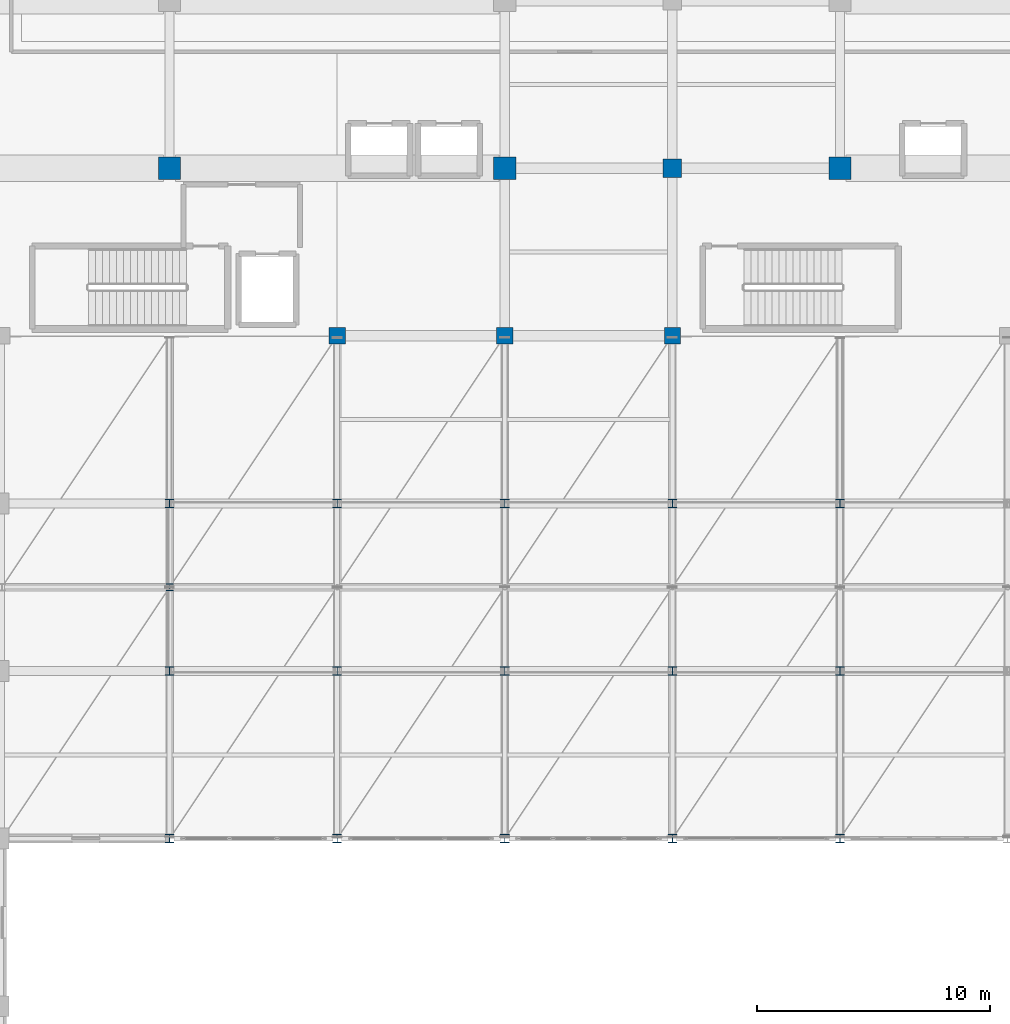
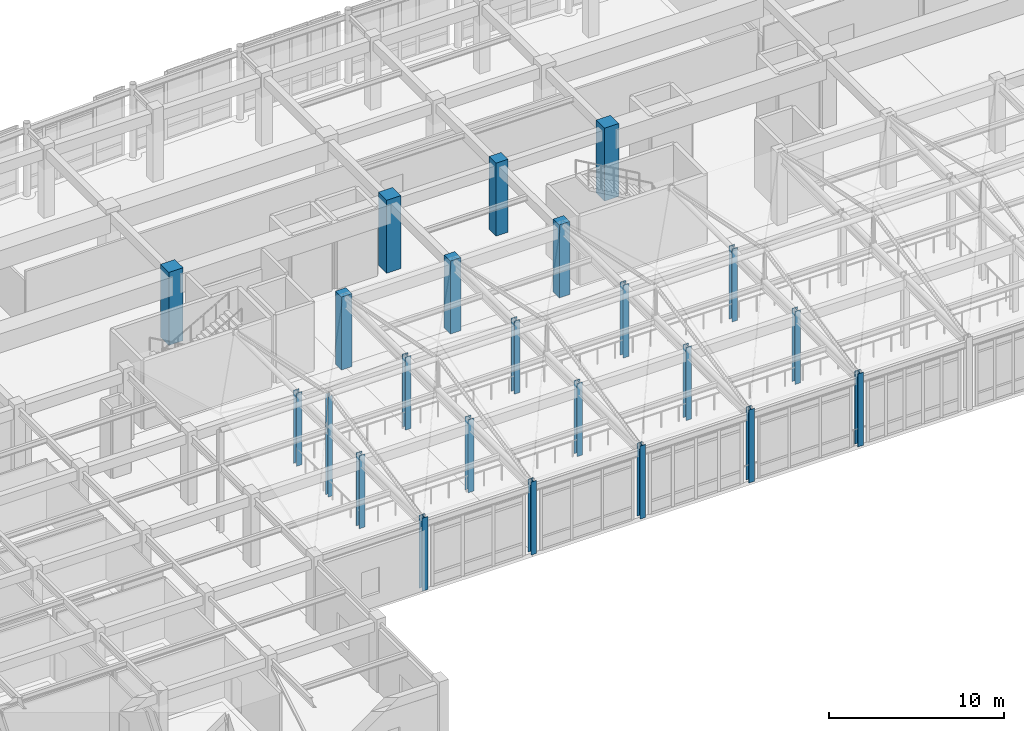
# One storey, part 7 of 117: 23 columns.
"""IFC4 building model written with IfcOpenShell, lengths in metres."""

import ifcopenshell
import ifcopenshell.guid

model = None  # the IFC model being written
_history = None  # IfcOwnerHistory: only IFC2X3 demands one
_inside = {}  # id of a spatial element -> (the spatial element, [elements in it])
_under = {}  # id of a project, library or spatial element -> (it, [spatial elements below it])
_declared = {}  # id of a project -> (the project, [libraries it declares])
_typed = {}  # id of a type object -> (the type object, [elements of that type])
_made_of = {}  # id of a material, layer set ... -> (it, [elements and type objects made of it])


def new_model(schema):
    """Start an empty IFC model of exactly this schema.

    Asked for "IFC4X3", IfcOpenShell would pick the latest addendum, in which some entities
    have other attributes; the version numbers below select the first issue.
    IFC2X3 requires an IfcOwnerHistory on every rooted entity: one is made here for all.
    """
    global model, _history
    if schema == "IFC4X3":
        model = ifcopenshell.file(schema_version=(4, 3, 0, 0))
    else:
        model = ifcopenshell.file(schema=schema)
    _inside.clear()
    _under.clear()
    _declared.clear()
    _typed.clear()
    _made_of.clear()
    _history = None
    if model.schema == "IFC2X3":
        org = make("IfcOrganization", Name="unknown")
        user = make(
            "IfcPersonAndOrganization",
            ThePerson=make("IfcPerson", FamilyName="unknown"),
            TheOrganization=org,
        )
        app = make(
            "IfcApplication",
            ApplicationDeveloper=org,
            Version="unknown",
            ApplicationFullName="unknown",
            ApplicationIdentifier="unknown",
        )
        _history = make(
            "IfcOwnerHistory",
            OwningUser=user,
            OwningApplication=app,
            ChangeAction="ADDED",
            CreationDate=0,
        )
    return model


def make(cls, **values):
    """One entity of the class cls with the attributes given. An attribute that is None is left unset."""
    return model.create_entity(
        cls, **{name: value for name, value in values.items() if value is not None}
    )


def rooted(cls, **values):
    """An entity with a GlobalId (a new one), such as an element, a storey or a relation."""
    return make(cls, GlobalId=ifcopenshell.guid.new(), OwnerHistory=_history, **values)


def si_unit(unit_type, name, prefix=None):
    """IfcSIUnit, for example si_unit("LENGTHUNIT", "METRE", prefix="MILLI")."""
    return make("IfcSIUnit", UnitType=unit_type, Prefix=prefix, Name=name)


def assignment(units):
    """IfcUnitAssignment: the units of a project."""
    return None if units is None else make("IfcUnitAssignment", Units=units)


def point(xyz):
    """IfcCartesianPoint."""
    return None if xyz is None else make("IfcCartesianPoint", Coordinates=xyz)


def direction(xyz):
    """IfcDirection."""
    return None if xyz is None else make("IfcDirection", DirectionRatios=xyz)


def frame(location, z_axis=None, x_axis=None):
    """IfcAxis2Placement3D, a coordinate frame: its origin and axes. An axis left out is left unset."""
    return make(
        "IfcAxis2Placement3D",
        Location=point(location),
        Axis=direction(z_axis),
        RefDirection=direction(x_axis),
    )


def frame_2d(location, x_axis=None):
    """IfcAxis2Placement2D, a coordinate frame in the plane: its origin and x axis."""
    return make(
        "IfcAxis2Placement2D", Location=point(location), RefDirection=direction(x_axis)
    )


def origin():
    """The frame at (0, 0, 0) with its axes left unset."""
    return frame((0.0, 0.0, 0.0))


def origin_2d():
    """The frame at (0, 0) in the plane with its x axis left unset."""
    return frame_2d((0.0, 0.0))


def place(relative_to, where):
    """IfcLocalPlacement: puts the frame where relative to a parent placement (None: the world)."""
    return make(
        "IfcLocalPlacement", PlacementRelTo=relative_to, RelativePlacement=where
    )


def context(
    kind, dimensions, precision=None, world=None, true_north=None, identifier=None
):
    """IfcGeometricRepresentationContext, for example the 3D "Model" context."""
    return make(
        "IfcGeometricRepresentationContext",
        ContextIdentifier=identifier,
        ContextType=kind,
        CoordinateSpaceDimension=dimensions,
        Precision=precision,
        WorldCoordinateSystem=world,
        TrueNorth=true_north,
    )


def subcontext(parent, identifier, kind, view, scale=None):
    """IfcGeometricRepresentationSubContext, for example "Body" below "Model"."""
    return make(
        "IfcGeometricRepresentationSubContext",
        ContextIdentifier=identifier,
        ContextType=kind,
        ParentContext=parent,
        TargetScale=scale,
        TargetView=view,
    )


def project(units=None, contexts=None):
    """IfcProject with its units and contexts."""
    return rooted(
        "IfcProject",
        Name="project",
        RepresentationContexts=contexts,
        UnitsInContext=assignment(units),
    )


def spatial(cls, under=None, at=None, **own):
    """A site, building, storey or space (cls), placed at a placement, below another one or the project."""
    s = rooted(cls, ObjectPlacement=at, **own)
    if under is not None:
        _under.setdefault(under.id(), (under, []))[1].append(s)
    return s


def profile(cls, at=None, kind="AREA", **sizes):
    """A parametric profile (cls). Its sizes go by their IFC names, for example OverallWidth=200.0."""
    return make(cls, ProfileType=kind, Position=at, **sizes)


def rectangle(**sizes):
    """IfcRectangleProfileDef."""
    return profile("IfcRectangleProfileDef", **sizes)


def i_section(**sizes):
    """IfcIShapeProfileDef."""
    return profile("IfcIShapeProfileDef", **sizes)


def extrude(swept, where, along, depth):
    """IfcExtrudedAreaSolid: the profile swept, set in the frame where, extruded along a direction by depth."""
    return make(
        "IfcExtrudedAreaSolid",
        SweptArea=swept,
        Position=where,
        ExtrudedDirection=direction(along),
        Depth=depth,
    )


def shape(context_of_items, identifier, shape_type, items):
    """IfcShapeRepresentation: the items that make up one representation, for example the "Body"."""
    return make(
        "IfcShapeRepresentation",
        ContextOfItems=context_of_items,
        RepresentationIdentifier=identifier,
        RepresentationType=shape_type,
        Items=items,
    )


def material(Name=None, Category=None):
    """IfcMaterial."""
    return make("IfcMaterial", Name=Name, Category=Category)


def material_profile(
    of_material, cross_section, Name=None, Category=None, Priority=None
):
    """IfcMaterialProfile: a cross section and its material."""
    return make(
        "IfcMaterialProfile",
        Name=Name,
        Material=of_material,
        Profile=cross_section,
        Priority=Priority,
        Category=Category,
    )


def profile_set(profiles, Name=None, composite=None):
    """IfcMaterialProfileSet."""
    return make(
        "IfcMaterialProfileSet",
        Name=Name,
        MaterialProfiles=profiles,
        CompositeProfile=composite,
    )


def made_of(thing, what):
    """Note that an element or type object is made of a material, layer set ...; save() writes the relation."""
    if what is not None:
        _made_of.setdefault(what.id(), (what, []))[1].append(thing)
    return thing


def type_object(cls, material=None, **own):
    """A type object (cls), such as IfcWallType, which elements share."""
    return made_of(rooted(cls, **own), material)


def element(
    cls,
    number,
    at=None,
    inside=None,
    cuts=None,
    type_object=None,
    material=None,
    context=None,
    identifier="Body",
    shape_type=None,
    held_by="IfcProductDefinitionShape",
    body=None,
    shapes=None,
    **own,
):
    """One element of the class cls, such as IfcWall. Its Tag is "e" and its number.

    at: its placement. inside: the storey or other place that contains it. cuts: it is an
    opening in that element (IfcRelVoidsElement). A single representation is given by context,
    identifier, shape_type and body (its items); several are given by shapes. held_by: the class
    of the entity that holds the representations. save() writes the other relations.
    """
    e = rooted(cls, Tag="e%d" % number, ObjectPlacement=at, **own)
    if body is not None:
        shapes = [shape(context, identifier, shape_type, body)]
    if shapes is not None:
        e.Representation = make(held_by, Representations=shapes)
    if inside is not None:
        _inside.setdefault(inside.id(), (inside, []))[1].append(e)
    if cuts is not None:
        rooted(
            "IfcRelVoidsElement", RelatingBuildingElement=cuts, RelatedOpeningElement=e
        )
    if type_object is not None:
        _typed.setdefault(type_object.id(), (type_object, []))[1].append(e)
    return made_of(e, material)


def aggregate(whole, parts):
    """IfcRelAggregates: a whole, such as a stair, and the parts it consists of."""
    return rooted("IfcRelAggregates", RelatingObject=whole, RelatedObjects=parts)


def save(model, path):
    """Write the relations noted so far, then the file.

    IfcRelAggregates (storeys below a building ...), IfcRelContainedInSpatialStructure (elements
    in a storey), IfcRelDefinesByType, IfcRelAssociatesMaterial and IfcRelDeclares: one each for
    every whole, place, type object, material and project.
    """
    for whole, parts in _under.values():
        aggregate(whole, parts)
    for where, things in _inside.values():
        rooted(
            "IfcRelContainedInSpatialStructure",
            RelatedElements=things,
            RelatingStructure=where,
        )
    for kind, things in _typed.values():
        rooted("IfcRelDefinesByType", RelatedObjects=things, RelatingType=kind)
    for what, things in _made_of.values():
        rooted("IfcRelAssociatesMaterial", RelatedObjects=things, RelatingMaterial=what)
    for by, libraries in _declared.values():
        rooted("IfcRelDeclares", RelatingContext=by, RelatedDefinitions=libraries)
    model.write(path)


model = new_model("IFC4")

# Units and contexts
model_context = context("Model", 3, precision=1e-05, world=origin(), true_north=direction((0.0, 1.0)))
body_context = subcontext(model_context, "Body", "Model", "MODEL_VIEW")
ifc_project = project(units=[si_unit("LENGTHUNIT", "METRE"), si_unit("AREAUNIT", "SQUARE_METRE"), si_unit("VOLUMEUNIT", "CUBIC_METRE"), si_unit("PLANEANGLEUNIT", "RADIAN"), si_unit("MASSUNIT", "GRAM", prefix="KILO")], contexts=[model_context])

# Site, building, storey
site_placement = place(None, origin())
site = spatial("IfcSite", under=ifc_project, at=site_placement, CompositionType="ELEMENT")
building_placement = place(site_placement, origin())
building = spatial("IfcBuilding", under=site, at=building_placement, Name="Carrowvane Square Congress Hotel", CompositionType="ELEMENT")
storey_placement = place(building_placement, frame((0.0, 0.0, 5.39990234375)))
storey = spatial("IfcBuildingStorey", under=building, at=storey_placement, Name="L01", CompositionType="ELEMENT", Elevation=5.39990234375)

# Columns
ifc_material_1 = material(Name="Concrete C40/50", Category="concrete")
ifc_material_profile_1 = material_profile(ifc_material_1, rectangle(XDim=0.699951171875, YDim=0.699951171875, at=origin_2d()), Name="RC 700x700")
ifc_profile_set_1 = profile_set([ifc_material_profile_1], Name="Concrete C40/50")
column_type_1 = type_object("IfcColumnType", Name="COL-RC-700", PredefinedType="COLUMN", material=ifc_profile_set_1)
for number, where, z_axis, x_axis, name in (
    (1, (83.60009765625, 91.800048828125, 0.0), (0.0, 0.0, 1.0), (1.0, 0.0, 0.0), "L01 column 11/N"),
    (2, (90.800048828125, 91.800048828125, 0.0), (0.0, 0.0, 1.0), (1.0, 0.0, 0.0), "L01 column 12/N"),
    (3, (98.0, 91.800048828125, 0.0), (0.0, 0.0, 1.0), (1.0, 0.0, 0.0), "L01 column 13/N"),
):
    element("IfcColumn", number, at=place(storey_placement, frame(where, z_axis=z_axis, x_axis=x_axis)), inside=storey, type_object=column_type_1, Name=name, PredefinedType="COLUMN", context=body_context, shape_type="SweptSolid", body=[
        extrude(rectangle(XDim=0.699951171875, YDim=0.699951171875, at=origin_2d()), origin(), (0.0, 0.0, 1.0), 5.10009765625),
    ])
ifc_material_2 = material(Name="Concrete C40/50", Category="concrete")
ifc_material_profile_2 = material_profile(ifc_material_2, rectangle(XDim=0.800048828125, YDim=0.800048828125, at=origin_2d()), Name="RC 800x800")
ifc_profile_set_2 = profile_set([ifc_material_profile_2], Name="Concrete C40/50")
column_type_2 = type_object("IfcColumnType", Name="COL-RC-800", PredefinedType="COLUMN", material=ifc_profile_set_2)
column_1_placement = place(storey_placement, frame((98.0, 99.0, 0.0), z_axis=(0.0, 0.0, 1.0), x_axis=(1.0, 0.0, 0.0)))
element("IfcColumn", 4, at=column_1_placement, inside=storey, type_object=column_type_2, Name="L01 column 13/P", PredefinedType="COLUMN", context=body_context, shape_type="SweptSolid", body=[
    extrude(rectangle(XDim=0.800048828125, YDim=0.800048828125, at=origin_2d()), origin(), (0.0, 0.0, 1.0), 5.10009765625),
])
ifc_material_3 = material(Name="Steel S355", Category="steel")
ifc_material_profile_3 = material_profile(ifc_material_3, i_section(OverallWidth=0.300048828125, OverallDepth=0.300048828125, WebThickness=0.010986328125, FlangeThickness=0.01904296875, FilletRadius=0.027099609375, at=origin_2d()), Name="HEB 300")
ifc_profile_set_3 = profile_set([ifc_material_profile_3], Name="Steel S355")
column_type_3 = type_object("IfcColumnType", Name="COL-ST-HEB300", PredefinedType="COLUMN", material=ifc_profile_set_3)
column_2_placement = place(storey_placement, frame((76.39990234375, 81.0, 0.0), z_axis=(0.0, 0.0, 1.0), x_axis=(1.0, 0.0, 0.0)))
element("IfcColumn", 5, at=column_2_placement, inside=storey, type_object=column_type_3, Name="L01 column V6X76/RG", PredefinedType="COLUMN", context=body_context, shape_type="SweptSolid", body=[
    extrude(i_section(OverallWidth=0.300048828125, OverallDepth=0.300048828125, WebThickness=0.010986328125, FlangeThickness=0.01904296875, FilletRadius=0.027099609375, at=origin_2d()), origin(), (0.0, 0.0, 1.0), 7.045654296875),
])
ifc_material_4 = material(Name="Steel S355", Category="steel")
ifc_material_profile_4 = material_profile(ifc_material_4, i_section(OverallWidth=0.37060546875, OverallDepth=0.362060546875, WebThickness=0.01220703125, FlangeThickness=0.020751953125, FilletRadius=0.01513671875, at=origin_2d()), Name="UKC 356x368x153")
ifc_profile_set_4 = profile_set([ifc_material_profile_4], Name="Steel S355")
column_type_4 = type_object("IfcColumnType", Name="COL-ST-UKC356", PredefinedType="COLUMN", material=ifc_profile_set_4)
for number, where, z_axis, x_axis, name in (
    (6, (76.39990234375, 70.199951171875, 0.0), (0.0, 0.0, 1.0), (1.0, 0.0, 0.0), "L01 column 10/K"),
    (7, (76.39990234375, 77.39990234375, 0.0), (0.0, 0.0, 1.0), (1.0, 0.0, 0.0), "L01 column 10/L"),
    (8, (76.39990234375, 84.60009765625, 0.0), (0.0, 0.0, 1.0), (1.0, 0.0, 0.0), "L01 column 10/M"),
    (9, (83.60009765625, 70.199951171875, 0.0), (0.0, 0.0, 1.0), (1.0, 0.0, 0.0), "L01 column 11/K"),
    (10, (83.60009765625, 77.39990234375, 0.0), (0.0, 0.0, 1.0), (1.0, 0.0, 0.0), "L01 column 11/L"),
    (11, (83.60009765625, 84.60009765625, 0.0), (0.0, 0.0, 1.0), (1.0, 0.0, 0.0), "L01 column 11/M"),
    (12, (90.800048828125, 70.199951171875, 0.0), (0.0, 0.0, 1.0), (1.0, 0.0, 0.0), "L01 column 12/K"),
    (13, (90.800048828125, 77.39990234375, 0.0), (0.0, 0.0, 1.0), (1.0, 0.0, 0.0), "L01 column 12/L"),
    (14, (90.800048828125, 84.60009765625, 0.0), (0.0, 0.0, 1.0), (1.0, 0.0, 0.0), "L01 column 12/M"),
    (15, (98.0, 70.199951171875, 0.0), (0.0, 0.0, 1.0), (1.0, 0.0, 0.0), "L01 column 13/K"),
    (16, (98.0, 77.39990234375, 0.0), (0.0, 0.0, 1.0), (1.0, 0.0, 0.0), "L01 column 13/L"),
    (17, (98.0, 84.60009765625, 0.0), (0.0, 0.0, 1.0), (1.0, 0.0, 0.0), "L01 column 13/M"),
    (18, (105.199951171875, 70.199951171875, 0.0), (0.0, 0.0, 1.0), (1.0, 0.0, 0.0), "L01 column 14/K"),
    (19, (105.199951171875, 77.39990234375, 0.0), (0.0, 0.0, 1.0), (1.0, 0.0, 0.0), "L01 column 14/L"),
    (20, (105.199951171875, 84.60009765625, 0.0), (0.0, 0.0, 1.0), (1.0, 0.0, 0.0), "L01 column 14/M"),
):
    element("IfcColumn", number, at=place(storey_placement, frame(where, z_axis=z_axis, x_axis=x_axis)), inside=storey, type_object=column_type_4, Name=name, PredefinedType="COLUMN", context=body_context, shape_type="SweptSolid", body=[
        extrude(i_section(OverallWidth=0.37060546875, OverallDepth=0.362060546875, WebThickness=0.01220703125, FlangeThickness=0.020751953125, FilletRadius=0.01513671875, at=origin_2d()), origin(), (0.0, 0.0, 1.0), 5.10009765625),
    ])
ifc_material_5 = material(Name="Concrete C40/50", Category="concrete")
ifc_material_profile_5 = material_profile(ifc_material_5, rectangle(XDim=0.949951171875, YDim=0.949951171875, at=origin_2d()), Name="RC 950x950")
ifc_profile_set_5 = profile_set([ifc_material_profile_5], Name="Concrete C40/50")
column_type_5 = type_object("IfcColumnType", Name="MCOL-RC-1000", PredefinedType="COLUMN", material=ifc_profile_set_5)
for number, where, z_axis, x_axis, name in (
    (21, (76.39990234375, 99.0, 0.0), (0.0, 0.0, 1.0), (1.0, 0.0, 0.0), "L01 column 10/P"),
    (22, (90.800048828125, 99.0, 0.0), (0.0, 0.0, 1.0), (1.0, 0.0, 0.0), "L01 column 12/P"),
    (23, (105.199951171875, 99.0, 0.0), (0.0, 0.0, 1.0), (1.0, 0.0, 0.0), "L01 column 14/P"),
):
    element("IfcColumn", number, at=place(storey_placement, frame(where, z_axis=z_axis, x_axis=x_axis)), inside=storey, type_object=column_type_5, Name=name, PredefinedType="COLUMN", context=body_context, shape_type="SweptSolid", body=[
        extrude(rectangle(XDim=0.949951171875, YDim=0.949951171875, at=origin_2d()), origin(), (0.0, 0.0, 1.0), 5.10009765625),
    ])

save(model, "model.ifc")
